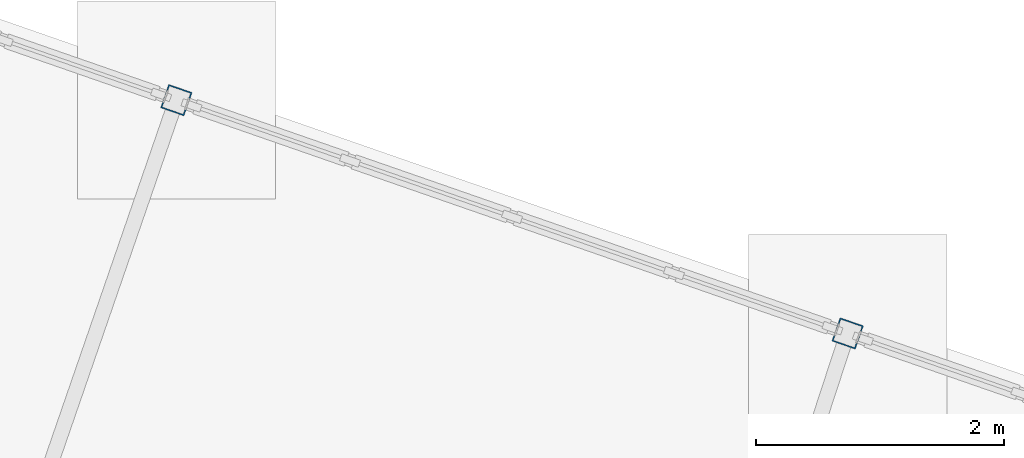
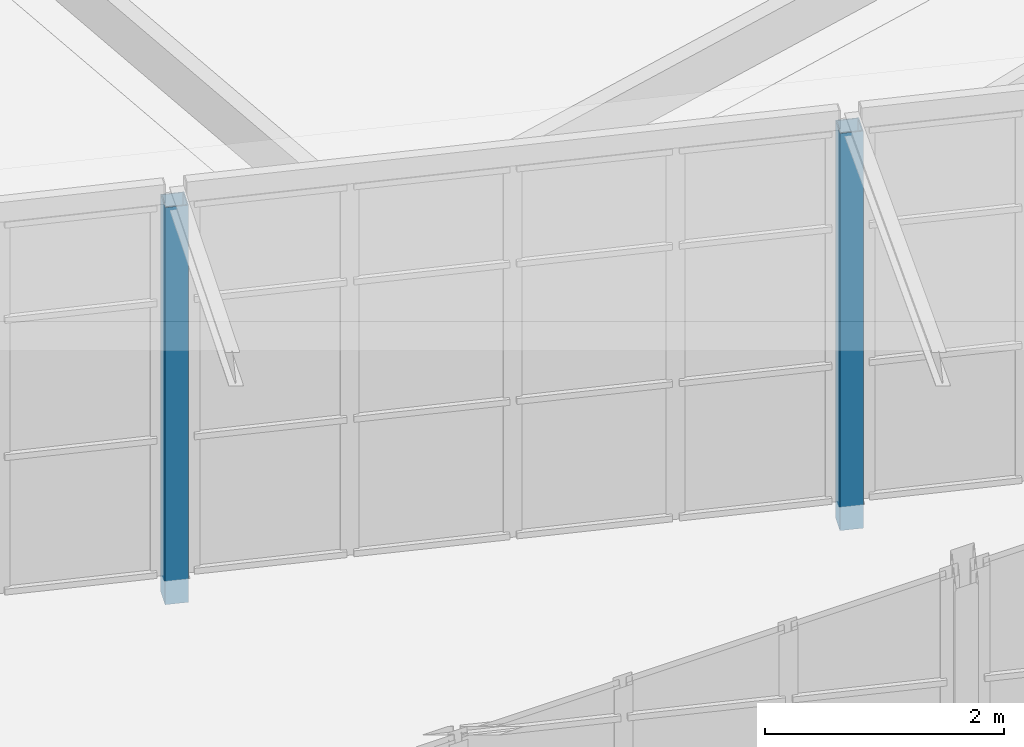
# One storey, part 17 of 226: 2 columns.
"""IFC4 building model written with IfcOpenShell, lengths in metres."""

from ifc_helpers import new_model, si_unit, direction, frame, origin, origin_2d, place, context, subcontext, project, spatial, hollow_rectangle, extrude, material, material_profile, profile_set, type_object, element, save


model = new_model("IFC4")

# Units and contexts
model_context = context("Model", 3, precision=1e-05, world=origin(), true_north=direction((0.0, 1.0)))
body_context = subcontext(model_context, "Body", "Model", "MODEL_VIEW")
ifc_project = project(units=[si_unit("LENGTHUNIT", "METRE"), si_unit("AREAUNIT", "SQUARE_METRE"), si_unit("VOLUMEUNIT", "CUBIC_METRE"), si_unit("PLANEANGLEUNIT", "RADIAN"), si_unit("MASSUNIT", "GRAM", prefix="KILO")], contexts=[model_context])

# Site, building, storey
site_placement = place(None, origin())
site = spatial("IfcSite", under=ifc_project, at=site_placement, CompositionType="ELEMENT")
building_placement = place(site_placement, origin())
building = spatial("IfcBuilding", under=site, at=building_placement, Name="Ceibo Conservatory and Research Tower", CompositionType="ELEMENT")
storey_placement = place(building_placement, origin())
storey = spatial("IfcBuildingStorey", under=building, at=storey_placement, Name="L00", CompositionType="ELEMENT", Elevation=0.0)

# Columns
ifc_material = material(Name="Steel S355J2H", Category="steel")
ifc_material_profile = material_profile(ifc_material, hollow_rectangle(XDim=0.199951171875, YDim=0.199951171875, WallThickness=0.010009765625, at=origin_2d()), Name="RHS column 200x200x10")
ifc_profile_set = profile_set([ifc_material_profile], Name="Steel S355J2H")
column_type = type_object("IfcColumnType", Name="RHS column 200x200x10", PredefinedType="COLUMN", material=ifc_profile_set)
for number, where, z_axis, x_axis, name in (
    (1, (93.722412109375, 60.585205078125, -0.25), (0.0, 0.0, 1.0), (0.944579236191, -0.328283515513, 0.0), "Gallery column AUD-VC-CN05"),
    (2, (99.14306640625, 58.701416015625, -0.25), (0.0, 0.0, 1.0), (0.944579236191, -0.328283515513, 0.0), "Gallery column AUD-VC-CN06"),
):
    element("IfcColumn", number, at=place(storey_placement, frame(where, z_axis=z_axis, x_axis=x_axis)), inside=storey, type_object=column_type, Name=name, PredefinedType="COLUMN", context=body_context, shape_type="SweptSolid", body=[
        extrude(hollow_rectangle(XDim=0.199951171875, YDim=0.199951171875, WallThickness=0.010009765625, at=origin_2d()), origin(), (0.0, 0.0, 1.0), 4.050048828125),
    ])

save(model, "model.ifc")
